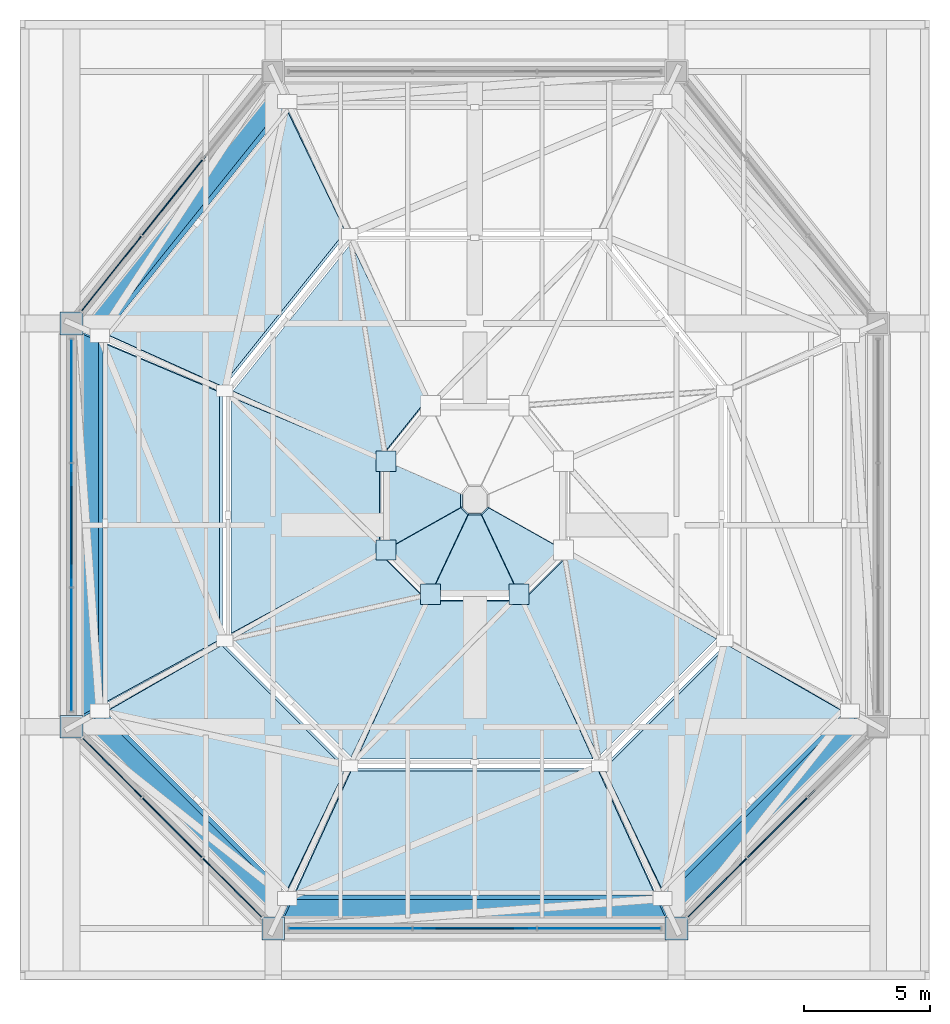
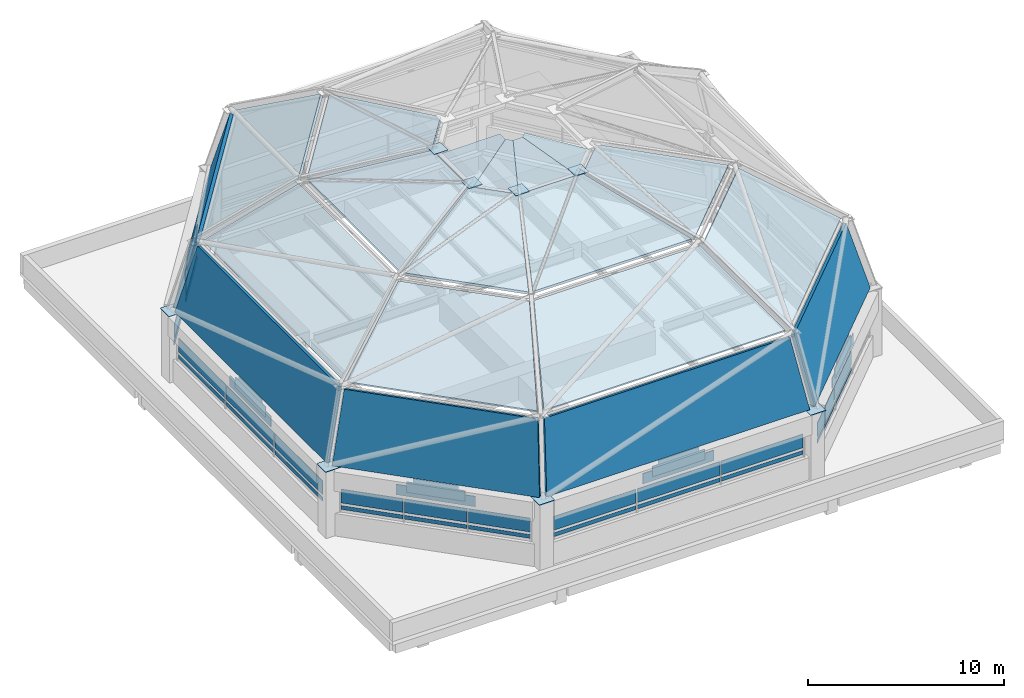
# One storey, part 8 of 10: 49 plates, 19 slabs, 5 elements without a shape of their own.
"""IFC4 building model written with IfcOpenShell, lengths in metres."""

from ifc_helpers import new_model, si_unit, direction, frame, origin, origin_2d, place, context, subcontext, project, spatial, polyline, rectangle, outline, extrude, material, layer, layer_set, type_object, element, aggregate, save


model = new_model("IFC4")

# Units and contexts
model_context = context("Model", 3, precision=1e-05, world=origin(), true_north=direction((0.0, 1.0)))
body_context = subcontext(model_context, "Body", "Model", "MODEL_VIEW")
ifc_project = project(units=[si_unit("LENGTHUNIT", "METRE"), si_unit("AREAUNIT", "SQUARE_METRE"), si_unit("VOLUMEUNIT", "CUBIC_METRE"), si_unit("PLANEANGLEUNIT", "RADIAN"), si_unit("MASSUNIT", "GRAM", prefix="KILO")], contexts=[model_context])

# Site, building, storey
site_placement = place(None, origin())
site = spatial("IfcSite", under=ifc_project, at=site_placement, CompositionType="ELEMENT")
building_placement = place(site_placement, origin())
building = spatial("IfcBuilding", under=site, at=building_placement, Name="Pecanmere Concourse Central Library", CompositionType="ELEMENT")
storey_placement = place(building_placement, frame((0.0, 0.0, 34.800048828125)))
storey = spatial("IfcBuildingStorey", under=building, at=storey_placement, Name="ROOF", CompositionType="ELEMENT", Elevation=34.800048828125)

# Curtain wall, plates
ifc_material_1 = material(Name="Anodized bronze aluminium alloy 6063-T6", Category="aluminium")
curtain_wall_type = type_object("IfcCurtainWallType", Name="CW_PORTAL_CLEAR", PredefinedType="USERDEFINED", material=ifc_material_1)
curtain_wall_1_placement = place(storey_placement, origin())
curtain_wall_1 = element("IfcCurtainWall", 1, at=curtain_wall_1_placement, inside=storey, type_object=curtain_wall_type, Name="Unitised Curtain Wall CW-03 ROOF-173", ObjectType="UNITISED CURTAIN WALL", PredefinedType="USERDEFINED")
ifc_material_2 = material(Name="White ceramic-fritted insulated spandrel glazing", Category="glass")
ifc_layer_1 = layer(ifc_material_2, 0.053955078125, Name="CWP_SPN_54")
ifc_layer_set_1 = layer_set([ifc_layer_1], Name="White ceramic-fritted insulated spandrel glazing")
plate_type_1 = type_object("IfcPlateType", Name="CWP_SPN_54", PredefinedType="CURTAIN_PANEL", material=ifc_layer_set_1)
plate_1_placement = place(storey_placement, frame((83.069580078125, 90.0, 1.580078125), z_axis=(0.0, 0.0, 1.0), x_axis=(1.0, 0.0, 0.0)))
plate_1 = element("IfcPlate", 2, at=plate_1_placement, type_object=plate_type_1, Name="CW-03 Spandrel Panel 1.1", PredefinedType="CURTAIN_PANEL", context=body_context, shape_type="SweptSolid", body=[
    extrude(rectangle(XDim=4.84912109375, YDim=0.035888671875, at=origin_2d()), origin(), (0.0, 0.0, 1.0), 0.239990234375),
])
plate_2_placement = place(storey_placement, frame((83.069580078125, 90.0, 1.97998046875), z_axis=(0.0, 0.0, 1.0), x_axis=(1.0, 0.0, 0.0)))
plate_2 = element("IfcPlate", 3, at=plate_2_placement, type_object=plate_type_1, Name="CW-03 Spandrel Panel 1.2", PredefinedType="CURTAIN_PANEL", context=body_context, shape_type="SweptSolid", body=[
    extrude(rectangle(XDim=4.84912109375, YDim=0.035888671875, at=origin_2d()), origin(), (0.0, 0.0, 1.0), 0.860107421875),
])
plate_3_placement = place(storey_placement, frame((88.0, 90.0, 1.580078125), z_axis=(0.0, 0.0, 1.0), x_axis=(1.0, 0.0, 0.0)))
plate_3 = element("IfcPlate", 4, at=plate_3_placement, type_object=plate_type_1, Name="CW-03 Spandrel Panel 2.1", PredefinedType="CURTAIN_PANEL", context=body_context, shape_type="SweptSolid", body=[
    extrude(rectangle(XDim=4.881591796875, YDim=0.035888671875, at=origin_2d()), origin(), (0.0, 0.0, 1.0), 0.239990234375),
])
plate_4_placement = place(storey_placement, frame((88.0, 90.0, 1.97998046875), z_axis=(0.0, 0.0, 1.0), x_axis=(1.0, 0.0, 0.0)))
plate_4 = element("IfcPlate", 5, at=plate_4_placement, type_object=plate_type_1, Name="CW-03 Spandrel Panel 2.2", PredefinedType="CURTAIN_PANEL", context=body_context, shape_type="SweptSolid", body=[
    extrude(rectangle(XDim=4.881591796875, YDim=0.035888671875, at=origin_2d()), origin(), (0.0, 0.0, 1.0), 0.860107421875),
])
plate_5_placement = place(storey_placement, frame((92.930419921875, 90.0, 1.580078125), z_axis=(0.0, 0.0, 1.0), x_axis=(1.0, 0.0, 0.0)))
plate_5 = element("IfcPlate", 6, at=plate_5_placement, type_object=plate_type_1, Name="CW-03 Spandrel Panel 3.1", PredefinedType="CURTAIN_PANEL", context=body_context, shape_type="SweptSolid", body=[
    extrude(rectangle(XDim=4.84912109375, YDim=0.035888671875, at=origin_2d()), origin(), (0.0, 0.0, 1.0), 0.239990234375),
])
plate_6_placement = place(storey_placement, frame((92.930419921875, 90.0, 1.97998046875), z_axis=(0.0, 0.0, 1.0), x_axis=(1.0, 0.0, 0.0)))
plate_6 = element("IfcPlate", 7, at=plate_6_placement, type_object=plate_type_1, Name="CW-03 Spandrel Panel 3.2", PredefinedType="CURTAIN_PANEL", context=body_context, shape_type="SweptSolid", body=[
    extrude(rectangle(XDim=4.84912109375, YDim=0.035888671875, at=origin_2d()), origin(), (0.0, 0.0, 1.0), 0.860107421875),
])
aggregate(curtain_wall_1, [plate_1, plate_2, plate_3, plate_4, plate_5, plate_6])

curtain_wall_2_placement = place(storey_placement, origin())
curtain_wall_2 = element("IfcCurtainWall", 8, at=curtain_wall_2_placement, inside=storey, type_object=curtain_wall_type, Name="Unitised Curtain Wall CW-03 ROOF-174", ObjectType="UNITISED CURTAIN WALL", PredefinedType="USERDEFINED")
plate_7_placement = place(storey_placement, frame((97.6181640625, 91.6181640625, 1.580078125), z_axis=(0.0, 0.0, 1.0), x_axis=(0.707106781187, 0.707106781187, 0.0)))
plate_7 = element("IfcPlate", 9, at=plate_7_placement, type_object=plate_type_1, Name="CW-03 Spandrel Panel 1.1", PredefinedType="CURTAIN_PANEL", context=body_context, shape_type="SweptSolid", body=[
    extrude(rectangle(XDim=3.287109375, YDim=0.035888671875, at=origin_2d()), origin(), (0.0, 0.0, 1.0), 0.239990234375),
])
plate_8_placement = place(storey_placement, frame((97.6181640625, 91.6181640625, 1.97998046875), z_axis=(0.0, 0.0, 1.0), x_axis=(0.707106781187, 0.707106781187, 0.0)))
plate_8 = element("IfcPlate", 10, at=plate_8_placement, type_object=plate_type_1, Name="CW-03 Spandrel Panel 1.2", PredefinedType="CURTAIN_PANEL", context=body_context, shape_type="SweptSolid", body=[
    extrude(rectangle(XDim=3.287109375, YDim=0.035888671875, at=origin_2d()), origin(), (0.0, 0.0, 1.0), 0.860107421875),
])
plate_9_placement = place(storey_placement, frame((100.0, 94.0, 1.580078125), z_axis=(0.0, 0.0, 1.0), x_axis=(0.707106781187, 0.707106781187, 0.0)))
plate_9 = element("IfcPlate", 11, at=plate_9_placement, type_object=plate_type_1, Name="CW-03 Spandrel Panel 2.1", PredefinedType="CURTAIN_PANEL", context=body_context, shape_type="SweptSolid", body=[
    extrude(rectangle(XDim=3.319580078125, YDim=0.035888671875, at=origin_2d()), origin(), (0.0, 0.0, 1.0), 0.239990234375),
])
plate_10_placement = place(storey_placement, frame((100.0, 94.0, 1.97998046875), z_axis=(0.0, 0.0, 1.0), x_axis=(0.707106781187, 0.707106781187, 0.0)))
plate_10 = element("IfcPlate", 12, at=plate_10_placement, type_object=plate_type_1, Name="CW-03 Spandrel Panel 2.2", PredefinedType="CURTAIN_PANEL", context=body_context, shape_type="SweptSolid", body=[
    extrude(rectangle(XDim=3.319580078125, YDim=0.035888671875, at=origin_2d()), origin(), (0.0, 0.0, 1.0), 0.860107421875),
])
aggregate(curtain_wall_2, [plate_7, plate_8, plate_9, plate_10])

curtain_wall_3_placement = place(storey_placement, origin())
curtain_wall_3 = element("IfcCurtainWall", 13, at=curtain_wall_3_placement, inside=storey, type_object=curtain_wall_type, Name="Unitised Curtain Wall CW-03 ROOF-178", ObjectType="UNITISED CURTAIN WALL", PredefinedType="USERDEFINED")
plate_11_placement = place(storey_placement, frame((76.0, 119.0, 1.580078125), z_axis=(0.0, 0.0, 1.0), x_axis=(-0.62469714181, -0.780867134034, 0.0)))
plate_11 = element("IfcPlate", 14, at=plate_11_placement, type_object=plate_type_1, Name="CW-03 Spandrel Panel 2.1", PredefinedType="CURTAIN_PANEL", context=body_context, shape_type="SweptSolid", body=[
    extrude(rectangle(XDim=3.817138671875, YDim=0.035888671875, at=origin_2d()), origin(), (0.0, 0.0, 1.0), 0.239990234375),
])
plate_12_placement = place(storey_placement, frame((76.0, 119.0, 1.97998046875), z_axis=(0.0, 0.0, 1.0), x_axis=(-0.62469714181, -0.780867134034, 0.0)))
plate_12 = element("IfcPlate", 15, at=plate_12_placement, type_object=plate_type_1, Name="CW-03 Spandrel Panel 2.2", PredefinedType="CURTAIN_PANEL", context=body_context, shape_type="SweptSolid", body=[
    extrude(rectangle(XDim=3.817138671875, YDim=0.035888671875, at=origin_2d()), origin(), (0.0, 0.0, 1.0), 0.860107421875),
])
plate_13_placement = place(storey_placement, frame((73.5849609375, 115.981201171875, 1.580078125), z_axis=(0.0, 0.0, 1.0), x_axis=(-0.62469714181, -0.780867134034, 0.0)))
plate_13 = element("IfcPlate", 16, at=plate_13_placement, type_object=plate_type_1, Name="CW-03 Spandrel Panel 3.1", PredefinedType="CURTAIN_PANEL", context=body_context, shape_type="SweptSolid", body=[
    extrude(rectangle(XDim=3.78466796875, YDim=0.035888671875, at=origin_2d()), origin(), (0.0, 0.0, 1.0), 0.239990234375),
])
plate_14_placement = place(storey_placement, frame((73.5849609375, 115.981201171875, 1.97998046875), z_axis=(0.0, 0.0, 1.0), x_axis=(-0.62469714181, -0.780867134034, 0.0)))
plate_14 = element("IfcPlate", 17, at=plate_14_placement, type_object=plate_type_1, Name="CW-03 Spandrel Panel 3.2", PredefinedType="CURTAIN_PANEL", context=body_context, shape_type="SweptSolid", body=[
    extrude(rectangle(XDim=3.78466796875, YDim=0.035888671875, at=origin_2d()), origin(), (0.0, 0.0, 1.0), 0.860107421875),
])
aggregate(curtain_wall_3, [plate_11, plate_12, plate_13, plate_14])

curtain_wall_4_placement = place(storey_placement, origin())
curtain_wall_4 = element("IfcCurtainWall", 18, at=curtain_wall_4_placement, inside=storey, type_object=curtain_wall_type, Name="Unitised Curtain Wall CW-03 ROOF-179", ObjectType="UNITISED CURTAIN WALL", PredefinedType="USERDEFINED")
plate_15_placement = place(storey_placement, frame((72.0, 110.930419921875, 1.580078125), z_axis=(0.0, 0.0, 1.0), x_axis=(0.0, -1.0, 0.0)))
plate_15 = element("IfcPlate", 19, at=plate_15_placement, type_object=plate_type_1, Name="CW-03 Spandrel Panel 1.1", PredefinedType="CURTAIN_PANEL", context=body_context, shape_type="SweptSolid", body=[
    extrude(rectangle(XDim=4.84912109375, YDim=0.035888671875, at=origin_2d()), origin(), (0.0, 0.0, 1.0), 0.239990234375),
])
plate_16_placement = place(storey_placement, frame((72.0, 110.930419921875, 1.97998046875), z_axis=(0.0, 0.0, 1.0), x_axis=(0.0, -1.0, 0.0)))
plate_16 = element("IfcPlate", 20, at=plate_16_placement, type_object=plate_type_1, Name="CW-03 Spandrel Panel 1.2", PredefinedType="CURTAIN_PANEL", context=body_context, shape_type="SweptSolid", body=[
    extrude(rectangle(XDim=4.84912109375, YDim=0.035888671875, at=origin_2d()), origin(), (0.0, 0.0, 1.0), 0.860107421875),
])
plate_17_placement = place(storey_placement, frame((72.0, 106.0, 1.580078125), z_axis=(0.0, 0.0, 1.0), x_axis=(0.0, -1.0, 0.0)))
plate_17 = element("IfcPlate", 21, at=plate_17_placement, type_object=plate_type_1, Name="CW-03 Spandrel Panel 2.1", PredefinedType="CURTAIN_PANEL", context=body_context, shape_type="SweptSolid", body=[
    extrude(rectangle(XDim=4.881591796875, YDim=0.035888671875, at=origin_2d()), origin(), (0.0, 0.0, 1.0), 0.239990234375),
])
plate_18_placement = place(storey_placement, frame((72.0, 106.0, 1.97998046875), z_axis=(0.0, 0.0, 1.0), x_axis=(0.0, -1.0, 0.0)))
plate_18 = element("IfcPlate", 22, at=plate_18_placement, type_object=plate_type_1, Name="CW-03 Spandrel Panel 2.2", PredefinedType="CURTAIN_PANEL", context=body_context, shape_type="SweptSolid", body=[
    extrude(rectangle(XDim=4.881591796875, YDim=0.035888671875, at=origin_2d()), origin(), (0.0, 0.0, 1.0), 0.860107421875),
])
plate_19_placement = place(storey_placement, frame((72.0, 101.069580078125, 1.580078125), z_axis=(0.0, 0.0, 1.0), x_axis=(0.0, -1.0, 0.0)))
plate_19 = element("IfcPlate", 23, at=plate_19_placement, type_object=plate_type_1, Name="CW-03 Spandrel Panel 3.1", PredefinedType="CURTAIN_PANEL", context=body_context, shape_type="SweptSolid", body=[
    extrude(rectangle(XDim=4.84912109375, YDim=0.035888671875, at=origin_2d()), origin(), (0.0, 0.0, 1.0), 0.239990234375),
])
plate_20_placement = place(storey_placement, frame((72.0, 101.069580078125, 1.97998046875), z_axis=(0.0, 0.0, 1.0), x_axis=(0.0, -1.0, 0.0)))
plate_20 = element("IfcPlate", 24, at=plate_20_placement, type_object=plate_type_1, Name="CW-03 Spandrel Panel 3.2", PredefinedType="CURTAIN_PANEL", context=body_context, shape_type="SweptSolid", body=[
    extrude(rectangle(XDim=4.84912109375, YDim=0.035888671875, at=origin_2d()), origin(), (0.0, 0.0, 1.0), 0.860107421875),
])
aggregate(curtain_wall_4, [plate_15, plate_16, plate_17, plate_18, plate_19, plate_20])

curtain_wall_5_placement = place(storey_placement, origin())
curtain_wall_5 = element("IfcCurtainWall", 25, at=curtain_wall_5_placement, inside=storey, type_object=curtain_wall_type, Name="Unitised Curtain Wall CW-03 ROOF-180", ObjectType="UNITISED CURTAIN WALL", PredefinedType="USERDEFINED")
plate_21_placement = place(storey_placement, frame((73.6181640625, 96.3818359375, 1.580078125), z_axis=(0.0, 0.0, 1.0), x_axis=(0.707106781187, -0.707106781187, 0.0)))
plate_21 = element("IfcPlate", 26, at=plate_21_placement, type_object=plate_type_1, Name="CW-03 Spandrel Panel 1.1", PredefinedType="CURTAIN_PANEL", context=body_context, shape_type="SweptSolid", body=[
    extrude(rectangle(XDim=3.287109375, YDim=0.035888671875, at=origin_2d()), origin(), (0.0, 0.0, 1.0), 0.239990234375),
])
plate_22_placement = place(storey_placement, frame((73.6181640625, 96.3818359375, 1.97998046875), z_axis=(0.0, 0.0, 1.0), x_axis=(0.707106781187, -0.707106781187, 0.0)))
plate_22 = element("IfcPlate", 27, at=plate_22_placement, type_object=plate_type_1, Name="CW-03 Spandrel Panel 1.2", PredefinedType="CURTAIN_PANEL", context=body_context, shape_type="SweptSolid", body=[
    extrude(rectangle(XDim=3.287109375, YDim=0.035888671875, at=origin_2d()), origin(), (0.0, 0.0, 1.0), 0.860107421875),
])
plate_23_placement = place(storey_placement, frame((76.0, 94.0, 1.580078125), z_axis=(0.0, 0.0, 1.0), x_axis=(0.707106781187, -0.707106781187, 0.0)))
plate_23 = element("IfcPlate", 28, at=plate_23_placement, type_object=plate_type_1, Name="CW-03 Spandrel Panel 2.1", PredefinedType="CURTAIN_PANEL", context=body_context, shape_type="SweptSolid", body=[
    extrude(rectangle(XDim=3.319580078125, YDim=0.035888671875, at=origin_2d()), origin(), (0.0, 0.0, 1.0), 0.239990234375),
])
plate_24_placement = place(storey_placement, frame((76.0, 94.0, 1.97998046875), z_axis=(0.0, 0.0, 1.0), x_axis=(0.707106781187, -0.707106781187, 0.0)))
plate_24 = element("IfcPlate", 29, at=plate_24_placement, type_object=plate_type_1, Name="CW-03 Spandrel Panel 2.2", PredefinedType="CURTAIN_PANEL", context=body_context, shape_type="SweptSolid", body=[
    extrude(rectangle(XDim=3.319580078125, YDim=0.035888671875, at=origin_2d()), origin(), (0.0, 0.0, 1.0), 0.860107421875),
])
plate_25_placement = place(storey_placement, frame((78.3818359375, 91.6181640625, 1.580078125), z_axis=(0.0, 0.0, 1.0), x_axis=(0.707106781187, -0.707106781187, 0.0)))
plate_25 = element("IfcPlate", 30, at=plate_25_placement, type_object=plate_type_1, Name="CW-03 Spandrel Panel 3.1", PredefinedType="CURTAIN_PANEL", context=body_context, shape_type="SweptSolid", body=[
    extrude(rectangle(XDim=3.287109375, YDim=0.035888671875, at=origin_2d()), origin(), (0.0, 0.0, 1.0), 0.239990234375),
])
plate_26_placement = place(storey_placement, frame((78.3818359375, 91.6181640625, 1.97998046875), z_axis=(0.0, 0.0, 1.0), x_axis=(0.707106781187, -0.707106781187, 0.0)))
plate_26 = element("IfcPlate", 31, at=plate_26_placement, type_object=plate_type_1, Name="CW-03 Spandrel Panel 3.2", PredefinedType="CURTAIN_PANEL", context=body_context, shape_type="SweptSolid", body=[
    extrude(rectangle(XDim=3.287109375, YDim=0.035888671875, at=origin_2d()), origin(), (0.0, 0.0, 1.0), 0.860107421875),
])
aggregate(curtain_wall_5, [plate_21, plate_22, plate_23, plate_24, plate_25, plate_26])

# Plates
ifc_material_3 = material(Name="Architectural standing-seam copper")
ifc_layer_2 = layer(ifc_material_3, 0.044921875, Name="PLT_DOME_COPPER_1")
ifc_layer_set_2 = layer_set([ifc_layer_2], Name="Architectural standing-seam copper")
plate_type_2 = type_object("IfcPlateType", Name="PLT_DOME_COPPER_1", PredefinedType="USERDEFINED", material=ifc_layer_set_2)
for number, where, z_axis, x_axis, name in (
    (32, (88.0, 90.0, 3.02490234375), (0.0, 0.0, 1.0), (1.0, 0.0, 0.0), "Drum Copper Frieze Panel 0.1"),
    (33, (100.0, 94.0, 3.02490234375), (0.0, 0.0, 1.0), (0.707106781187, 0.707106781187, 0.0), "Drum Copper Frieze Panel 0.2"),
    (34, (76.0, 119.0, 3.02490234375), (0.0, 0.0, 1.0), (-0.624697660804, -0.780866718836, 0.0), "Drum Copper Frieze Panel 0.6"),
    (35, (72.0, 106.0, 3.02490234375), (0.0, 0.0, 1.0), (0.0, -1.0, 0.0), "Drum Copper Frieze Panel 0.7"),
    (36, (76.0, 94.0, 3.02490234375), (0.0, 0.0, 1.0), (0.707106781187, -0.707106781187, 0.0), "Drum Copper Frieze Panel 0.8"),
):
    element("IfcPlate", number, at=place(storey_placement, frame(where, z_axis=z_axis, x_axis=x_axis)), inside=storey, type_object=plate_type_2, Name=name, ObjectType="ROOF PANEL", PredefinedType="USERDEFINED", context=body_context, shape_type="SweptSolid", body=[
        extrude(rectangle(XDim=4.199951171875, YDim=0.044921875, at=origin_2d()), origin(), (0.0, 0.0, 1.0), 0.64990234375),
    ])
ifc_material_4 = material(Name="Architectural standing-seam copper")
ifc_layer_3 = layer(ifc_material_4, 0.044921875, Name="PLT_DOME_COPPER_2")
ifc_layer_set_3 = layer_set([ifc_layer_3], Name="Architectural standing-seam copper")
plate_type_3 = type_object("IfcPlateType", Name="PLT_DOME_COPPER_2", PredefinedType="USERDEFINED", material=ifc_layer_set_3)
for number, where, z_axis, x_axis, name in (
    (37, (88.0, 90.0, 3.27490234375), (0.0, 0.0, 1.0), (1.0, 0.0, 0.0), "Drum Copper Frieze Panel 1.1"),
    (38, (100.0, 94.0, 3.27490234375), (0.0, 0.0, 1.0), (0.707106781187, 0.707106781187, 0.0), "Drum Copper Frieze Panel 1.2"),
    (39, (76.0, 119.0, 3.27490234375), (0.0, 0.0, 1.0), (-0.624697660804, -0.780866718836, 0.0), "Drum Copper Frieze Panel 1.6"),
    (40, (72.0, 106.0, 3.27490234375), (0.0, 0.0, 1.0), (0.0, -1.0, 0.0), "Drum Copper Frieze Panel 1.7"),
    (41, (76.0, 94.0, 3.27490234375), (0.0, 0.0, 1.0), (0.707106781187, -0.707106781187, 0.0), "Drum Copper Frieze Panel 1.8"),
):
    element("IfcPlate", number, at=place(storey_placement, frame(where, z_axis=z_axis, x_axis=x_axis)), inside=storey, type_object=plate_type_3, Name=name, ObjectType="ROOF PANEL", PredefinedType="USERDEFINED", context=body_context, shape_type="SweptSolid", body=[
        extrude(rectangle(XDim=3.10009765625, YDim=0.044921875, at=origin_2d()), origin(), (0.0, 0.0, 1.0), 0.64990234375),
    ])
ifc_material_5 = material(Name="Architectural standing-seam copper")
ifc_layer_4 = layer(ifc_material_5, 0.0400390625, Name="PLT_DOME_COPPER_3")
ifc_layer_set_4 = layer_set([ifc_layer_4], Name="Architectural standing-seam copper")
plate_type_4 = type_object("IfcPlateType", Name="PLT_DOME_COPPER_3", PredefinedType="USERDEFINED", material=ifc_layer_set_4)
for number, where, z_axis, x_axis, name in (
    (42, (88.0, 90.0, 3.52490234375), (0.0, 0.0, 1.0), (1.0, 0.0, 0.0), "Drum Copper Frieze Panel 2.1"),
    (43, (100.0, 94.0, 3.52490234375), (0.0, 0.0, 1.0), (0.707106781187, 0.707106781187, 0.0), "Drum Copper Frieze Panel 2.2"),
    (44, (76.0, 119.0, 3.52490234375), (0.0, 0.0, 1.0), (-0.624697660804, -0.780866718836, 0.0), "Drum Copper Frieze Panel 2.6"),
    (45, (72.0, 106.0, 3.52490234375), (0.0, 0.0, 1.0), (0.0, -1.0, 0.0), "Drum Copper Frieze Panel 2.7"),
    (46, (76.0, 94.0, 3.52490234375), (0.0, 0.0, 1.0), (0.707106781187, -0.707106781187, 0.0), "Drum Copper Frieze Panel 2.8"),
):
    element("IfcPlate", number, at=place(storey_placement, frame(where, z_axis=z_axis, x_axis=x_axis)), inside=storey, type_object=plate_type_4, Name=name, ObjectType="ROOF PANEL", PredefinedType="USERDEFINED", context=body_context, shape_type="SweptSolid", body=[
        extrude(rectangle(XDim=2.39990234375, YDim=0.0400390625, at=origin_2d()), origin(), (0.0, 0.0, 1.0), 0.64990234375),
    ])
ifc_material_6 = material(Name="Structural steel ASTM A572 Grade 50", Category="steel")
ifc_layer_5 = layer(ifc_material_6, 0.031982421875, Name="PLT_DOME_NODE_1")
ifc_layer_set_5 = layer_set([ifc_layer_5], Name="Structural steel ASTM A572 Grade 50")
plate_type_5 = type_object("IfcPlateType", Name="PLT_DOME_NODE_1", PredefinedType="SHEET", material=ifc_layer_set_5)
for number, where, z_axis, x_axis, name in (
    (47, (80.0, 90.0, 4.16796875), (0.0, 0.0, 1.0), (1.0, 0.0, 0.0), "Dome Rib Node Connection Plate 1.0"),
    (48, (96.0, 90.0, 4.16796875), (0.0, 0.0, 1.0), (1.0, 0.0, 0.0), "Dome Rib Node Connection Plate 2.0"),
    (49, (72.0, 114.0, 4.16796875), (0.0, 0.0, 1.0), (1.0, 0.0, 0.0), "Dome Rib Node Connection Plate 7.0"),
    (50, (72.0, 98.0, 4.16796875), (0.0, 0.0, 1.0), (1.0, 0.0, 0.0), "Dome Rib Node Connection Plate 8.0"),
):
    element("IfcPlate", number, at=place(storey_placement, frame(where, z_axis=z_axis, x_axis=x_axis)), inside=storey, type_object=plate_type_5, Name=name, PredefinedType="SHEET", context=body_context, shape_type="SweptSolid", body=[
        extrude(rectangle(XDim=0.89990234375, YDim=0.89990234375, at=origin_2d()), origin(), (0.0, 0.0, 1.0), 0.031982421875),
    ])
ifc_material_7 = material(Name="Structural steel ASTM A572 Grade 50", Category="steel")
ifc_layer_6 = layer(ifc_material_7, 0.035888671875, Name="PLT_DOME_OCULUS")
ifc_layer_set_6 = layer_set([ifc_layer_6], Name="Structural steel ASTM A572 Grade 50")
plate_type_6 = type_object("IfcPlateType", Name="PLT_DOME_OCULUS", PredefinedType="SHEET", material=ifc_layer_set_6)
for number, where, z_axis, x_axis, name in (
    (51, (86.239990234375, 103.260009765625, 13.18408203125), (0.0, 0.0, 1.0), (1.0, 0.0, 0.0), "Dome Rib Node Connection Plate 1.3"),
    (52, (89.760009765625, 103.260009765625, 13.18408203125), (0.0, 0.0, 1.0), (1.0, 0.0, 0.0), "Dome Rib Node Connection Plate 2.3"),
    (53, (84.47998046875, 108.5400390625, 13.18408203125), (0.0, 0.0, 1.0), (1.0, 0.0, 0.0), "Dome Rib Node Connection Plate 7.3"),
    (54, (84.47998046875, 105.02001953125, 13.18408203125), (0.0, 0.0, 1.0), (1.0, 0.0, 0.0), "Dome Rib Node Connection Plate 8.3"),
):
    element("IfcPlate", number, at=place(storey_placement, frame(where, z_axis=z_axis, x_axis=x_axis)), inside=storey, type_object=plate_type_6, Name=name, PredefinedType="SHEET", context=body_context, shape_type="SweptSolid", body=[
        extrude(rectangle(XDim=0.800048828125, YDim=0.800048828125, at=origin_2d()), origin(), (0.0, 0.0, 1.0), 0.035888671875),
    ])

# Slabs
ifc_material_8 = material(Name="Architectural standing-seam copper", Category="metal")
ifc_layer_7 = layer(ifc_material_8, 0.18994140625, Name="SLAB_OCULUS_CAP")
ifc_layer_set_7 = layer_set([ifc_layer_7], Name="Architectural standing-seam copper")
slab_type_1 = type_object("IfcSlabType", Name="SLAB_OCULUS_CAP", PredefinedType="ROOF", material=ifc_layer_set_7)
slab_1_placement = place(storey_placement, frame((86.256103515625, 103.2939453125, 12.820068359375), z_axis=(0.0, -0.322460662263, 0.946582865518), x_axis=(1.0, 0.0, 0.0)))
element("IfcSlab", 55, at=slab_1_placement, inside=storey, type_object=slab_type_1, Name="Dome Oculus Lantern Cap Facet 1", PredefinedType="ROOF", context=body_context, shape_type="SweptSolid", body=[
    extrude(outline(polyline([(0.0, 0.0), (3.48779296875, 0.0), (2.02392578125, 3.286647263228482), (1.4638671875, 3.286647263228482), (0.0, 0.0)])), origin(), (0.0, 0.0, -1.0), 0.18994140625),
])
slab_2_placement = place(storey_placement, frame((89.743896484375, 103.2939453125, 12.820068359375), z_axis=(0.220143087976, -0.220143087976, 0.950302079148), x_axis=(0.707106781187, 0.707106781187, 0.0)))
element("IfcSlab", 56, at=slab_2_placement, inside=storey, type_object=slab_type_1, Name="Dome Oculus Lantern Cap Facet 2", PredefinedType="ROOF", context=body_context, shape_type="SweptSolid", body=[
    extrude(outline(polyline([(0.0, 0.0), (2.466587326560887, 0.0), (1.5607793966571233, 3.404158602000334), (1.1647581671546965, 3.404158602000334), (0.0, 0.0)])), origin(), (0.0, 0.0, -1.0), 0.18994140625),
])
slab_3_placement = place(storey_placement, frame((84.511962890625, 108.52587890625, 12.820068359375), z_axis=(-0.340351448133, 0.0, 0.940298299346), x_axis=(0.0, -1.0, 0.0)))
element("IfcSlab", 57, at=slab_3_placement, inside=storey, type_object=slab_type_1, Name="Dome Oculus Lantern Cap Facet 7", PredefinedType="ROOF", context=body_context, shape_type="SweptSolid", body=[
    extrude(outline(polyline([(0.0, 0.0), (3.48779296875, 0.0), (1.8408203125, 3.1138826026384203), (1.28076171875, 3.1138826026384203), (0.0, 0.0)])), origin(), (0.0, 0.0, -1.0), 0.18994140625),
])
slab_4_placement = place(storey_placement, frame((84.511962890625, 105.0380859375, 12.820068359375), z_axis=(-0.220143087976, -0.220143087976, 0.950302079148), x_axis=(0.707106781187, -0.707106781187, 0.0)))
element("IfcSlab", 58, at=slab_4_placement, inside=storey, type_object=slab_type_1, Name="Dome Oculus Lantern Cap Facet 8", PredefinedType="ROOF", context=body_context, shape_type="SweptSolid", body=[
    extrude(outline(polyline([(0.0, 0.0), (2.466587326560887, 0.0), (1.3018291594061902, 3.404158602000334), (0.9058079299037634, 3.404158602000334), (0.0, 0.0)])), origin(), (0.0, 0.0, -1.0), 0.18994140625),
])
ifc_material_9 = material(Name="Concrete C35/45", Category="concrete")
ifc_layer_8 = layer(ifc_material_9, 0.18994140625, Name="SLAB_ROOF_190")
ifc_layer_set_8 = layer_set([ifc_layer_8], Name="Concrete C35/45")
slab_type_2 = type_object("IfcSlabType", Name="SLAB_ROOF_190", PredefinedType="ROOF", material=ifc_layer_set_8)
slab_5_placement = place(storey_placement, frame((80.239990234375, 90.0, 4.199951171875), z_axis=(0.0, -0.962130546171, 0.272589090253), x_axis=(1.0, 0.0, 0.0)))
element("IfcSlab", 59, at=slab_5_placement, inside=storey, type_object=slab_type_2, Name="Dome Copper Facet Roof Shell 0.1", PredefinedType="ROOF", context=body_context, shape_type="SweptSolid", body=[
    extrude(outline(polyline([(0.0, 0.0), (15.52001953125, 0.0), (14.99853515625, 4.190681231275776), (0.521484375, 4.190681231275776), (0.0, 0.0)])), origin(), (0.0, 0.0, -1.0), 0.18994140625),
])
slab_6_placement = place(storey_placement, frame((80.87939453125, 91.40087890625, 8.535888671875), z_axis=(0.0, -0.542149036243, 0.840282346894), x_axis=(1.0, 0.0, 0.0)))
element("IfcSlab", 60, at=slab_6_placement, inside=storey, type_object=slab_type_2, Name="Dome Copper Facet Roof Shell 1.1", PredefinedType="ROOF", context=body_context, shape_type="SweptSolid", body=[
    extrude(outline(polyline([(0.0, 0.0), (14.2412109375, 0.0), (12.028076171875, 5.76995183797335), (2.213134765625, 5.76995183797335), (0.0, 0.0)])), origin(), (0.0, 0.0, -1.0), 0.18994140625),
])
slab_7_placement = place(storey_placement, frame((83.31298828125, 96.73193359375, 11.856689453125), z_axis=(0.0, -0.204410348584, 0.97888528919), x_axis=(1.0, 0.0, 0.0)))
element("IfcSlab", 61, at=slab_7_placement, inside=storey, type_object=slab_type_2, Name="Dome Copper Facet Roof Shell 2.1", PredefinedType="ROOF", context=body_context, shape_type="SweptSolid", body=[
    extrude(outline(polyline([(0.0, 0.0), (9.3740234375, 0.0), (6.518310546875, 6.391048659852532), (2.855712890625, 6.391048659852532), (0.0, 0.0)])), origin(), (0.0, 0.0, -1.0), 0.18994140625),
])
slab_8_placement = place(storey_placement, frame((96.1201171875, 90.1201171875, 4.199951171875), z_axis=(0.678272596369, -0.67828363722, 0.282626241695), x_axis=(0.707112076523, 0.707101485807, 2.20648e-06)))
element("IfcSlab", 62, at=slab_8_placement, inside=storey, type_object=slab_type_2, Name="Dome Copper Facet Roof Shell 0.2", PredefinedType="ROOF", context=body_context, shape_type="SweptSolid", body=[
    extrude(outline(polyline([(0.0, 0.0), (10.973965787377104, -2.220446049250313e-16), (10.653040127336531, 4.203328133988402), (0.4160467138603127, 4.2033769247432975), (0.0, 0.0)])), origin(), (0.0, 0.0, -1.0), 0.18994140625),
])
slab_9_placement = place(storey_placement, frame((95.450927734375, 91.510986328125, 8.535888671875), z_axis=(0.372799746872, -0.372807313952, 0.849726459159), x_axis=(0.707108775949, 0.707104786404, 4.54666e-06)))
element("IfcSlab", 63, at=slab_9_placement, inside=storey, type_object=slab_type_2, Name="Dome Copper Facet Roof Shell 1.2", PredefinedType="ROOF", context=body_context, shape_type="SweptSolid", body=[
    extrude(outline(polyline([(0.0, 0.0), (10.070056826070125, 0.0), (8.706597510467004, 5.9332188529319705), (1.7665585182628438, 5.933365544177437), (0.0, 0.0)])), origin(), (0.0, 0.0, -1.0), 0.18994140625),
])
slab_10_placement = place(storey_placement, frame((92.904541015625, 96.804443359375, 11.856689453125), z_axis=(0.139216370772, -0.139221585063, 0.980426515534), x_axis=(0.707107294491, 0.707106267873, 3.614892e-06)))
element("IfcSlab", 64, at=slab_10_placement, inside=storey, type_object=slab_type_2, Name="Dome Copper Facet Roof Shell 2.2", PredefinedType="ROOF", context=body_context, shape_type="SweptSolid", body=[
    extrude(outline(polyline([(0.0, 0.0), (6.628435539612827, 0.0), (4.8694728947911425, 6.6352258858690805), (2.279452621699597, 6.635395140321618), (0.0, 0.0)])), origin(), (0.0, 0.0, -1.0), 0.18994140625),
])
slab_11_placement = place(storey_placement, frame((79.8798828125, 123.85009765625, 4.199951171875), z_axis=(-0.751736762558, 0.601377663242, 0.27062288516), x_axis=(-0.624686747829, -0.780875449141, 3.914901e-06)))
element("IfcSlab", 65, at=slab_11_placement, inside=storey, type_object=slab_type_2, Name="Dome Copper Facet Roof Shell 0.6", PredefinedType="ROOF", context=body_context, shape_type="SweptSolid", body=[
    extrude(outline(polyline([(0.0, 0.0), (12.422067123602506, 0.0), (12.130794284368339, 4.188216387876679), (0.5432044481374501, 4.188314026666699), (0.0, 0.0)])), origin(), (0.0, 0.0, -1.0), 0.18994140625),
])
slab_12_placement = place(storey_placement, frame((80.549072265625, 122.461669921875, 8.535888671875), z_axis=(-0.425697564666, 0.340556669238, 0.838333309892), x_axis=(-0.624690916539, -0.780872114235, 2.152468e-06)))
element("IfcSlab", 66, at=slab_12_placement, inside=storey, type_object=slab_type_2, Name="Dome Copper Facet Roof Shell 1.6", PredefinedType="ROOF", context=body_context, shape_type="SweptSolid", body=[
    extrude(outline(polyline([(0.0, 0.0), (11.3986256866546, 0.0), (10.1616213616925, 5.738064686616093), (2.305882871554304, 5.738140709355713), (0.0, 0.0)])), origin(), (0.0, 0.0, -1.0), 0.18994140625),
])
slab_13_placement = place(storey_placement, frame((83.095458984375, 117.177490234375, 11.856689453125), z_axis=(-0.160825105555, 0.128663939543, 0.978560614415), x_axis=(-0.624687931932, -0.780874501871, 4.99418e-06)))
element("IfcSlab", 67, at=slab_13_placement, inside=storey, type_object=slab_type_2, Name="Dome Copper Facet Roof Shell 2.6", PredefinedType="ROOF", context=body_context, shape_type="SweptSolid", body=[
    extrude(outline(polyline([(0.0, 0.0), (7.502974905554375, 0.0), (5.907022974839164, 6.342848648691035), (2.975409646005145, 6.3431016709038515), (0.0, 0.0)])), origin(), (0.0, 0.0, -1.0), 0.18994140625),
])
slab_14_placement = place(storey_placement, frame((72.0, 113.760009765625, 4.199951171875), z_axis=(-0.966234939601, 0.0, 0.25766265056), x_axis=(0.0, -1.0, 0.0)))
element("IfcSlab", 68, at=slab_14_placement, inside=storey, type_object=slab_type_2, Name="Dome Copper Facet Roof Shell 0.7", PredefinedType="ROOF", context=body_context, shape_type="SweptSolid", body=[
    extrude(outline(polyline([(0.0, 0.0), (15.52001953125, 0.0), (14.931396484375, 4.172879965962472), (0.454345703125, 4.172879965962472), (0.0, 0.0)])), origin(), (0.0, 0.0, -1.0), 0.18994140625),
])
slab_15_placement = place(storey_placement, frame((73.318359375, 113.202880859375, 8.535888671875), z_axis=(-0.565417723082, 0.0, 0.824804703202), x_axis=(0.0, -1.0, 0.0)))
element("IfcSlab", 69, at=slab_15_placement, inside=storey, type_object=slab_type_2, Name="Dome Copper Facet Roof Shell 1.7", PredefinedType="ROOF", context=body_context, shape_type="SweptSolid", body=[
    extrude(outline(polyline([(0.0, 0.0), (14.240966796875, 0.0), (11.74267578125, 5.53250048667123), (1.927978515625, 5.53250048667123), (0.0, 0.0)])), origin(), (0.0, 0.0, -1.0), 0.18994140625),
])
slab_16_placement = place(storey_placement, frame((78.3359375, 111.0830078125, 11.856689453125), z_axis=(-0.216600426634, 0.0, 0.976260341908), x_axis=(0.0, -1.0, 0.0)))
element("IfcSlab", 70, at=slab_16_placement, inside=storey, type_object=slab_type_2, Name="Dome Copper Facet Roof Shell 2.7", PredefinedType="ROOF", context=body_context, shape_type="SweptSolid", body=[
    extrude(outline(polyline([(0.0, 0.0), (9.3740234375, 0.0), (6.150390625, 6.031366164319161), (2.487548828125, 6.031366164319161), (0.0, 0.0)])), origin(), (0.0, 0.0, -1.0), 0.18994140625),
])
slab_17_placement = place(storey_placement, frame((72.1201171875, 97.8798828125, 4.199951171875), z_axis=(-0.678272596369, -0.67828363722, 0.282626241695), x_axis=(0.707112076523, -0.707101485807, -2.20648e-06)))
element("IfcSlab", 71, at=slab_17_placement, inside=storey, type_object=slab_type_2, Name="Dome Copper Facet Roof Shell 0.8", PredefinedType="ROOF", context=body_context, shape_type="SweptSolid", body=[
    extrude(outline(polyline([(0.0, 0.0), (10.973965787377104, 2.220446049250313e-16), (10.557919073516793, 4.2033769247432975), (0.32092566004057105, 4.2033281339884025), (0.0, 0.0)])), origin(), (0.0, 0.0, -1.0), 0.18994140625),
])
slab_18_placement = place(storey_placement, frame((73.428466796875, 98.631591796875, 8.535888671875), z_axis=(-0.372799746872, -0.372807313952, 0.849726459159), x_axis=(0.707108775949, -0.707104786404, -4.54666e-06)))
element("IfcSlab", 72, at=slab_18_placement, inside=storey, type_object=slab_type_2, Name="Dome Copper Facet Roof Shell 1.8", PredefinedType="ROOF", context=body_context, shape_type="SweptSolid", body=[
    extrude(outline(polyline([(0.0, 0.0), (10.070056826070125, 0.0), (8.303498307807281, 5.933365544177436), (1.3634593156031214, 5.93321885293197), (0.0, 0.0)])), origin(), (0.0, 0.0, -1.0), 0.18994140625),
])
slab_19_placement = place(storey_placement, frame((78.408447265625, 101.491455078125, 11.856689453125), z_axis=(-0.139216370772, -0.139221585063, 0.980426515534), x_axis=(0.707107294491, -0.707106267873, -3.614892e-06)))
element("IfcSlab", 73, at=slab_19_placement, inside=storey, type_object=slab_type_2, Name="Dome Copper Facet Roof Shell 2.8", PredefinedType="ROOF", context=body_context, shape_type="SweptSolid", body=[
    extrude(outline(polyline([(0.0, 0.0), (6.628435539612827, 0.0), (4.348982917913229, 6.635395140321618), (1.7589626448216837, 6.63522588586908), (0.0, 0.0)])), origin(), (0.0, 0.0, -1.0), 0.18994140625),
])

save(model, "model.ifc")
